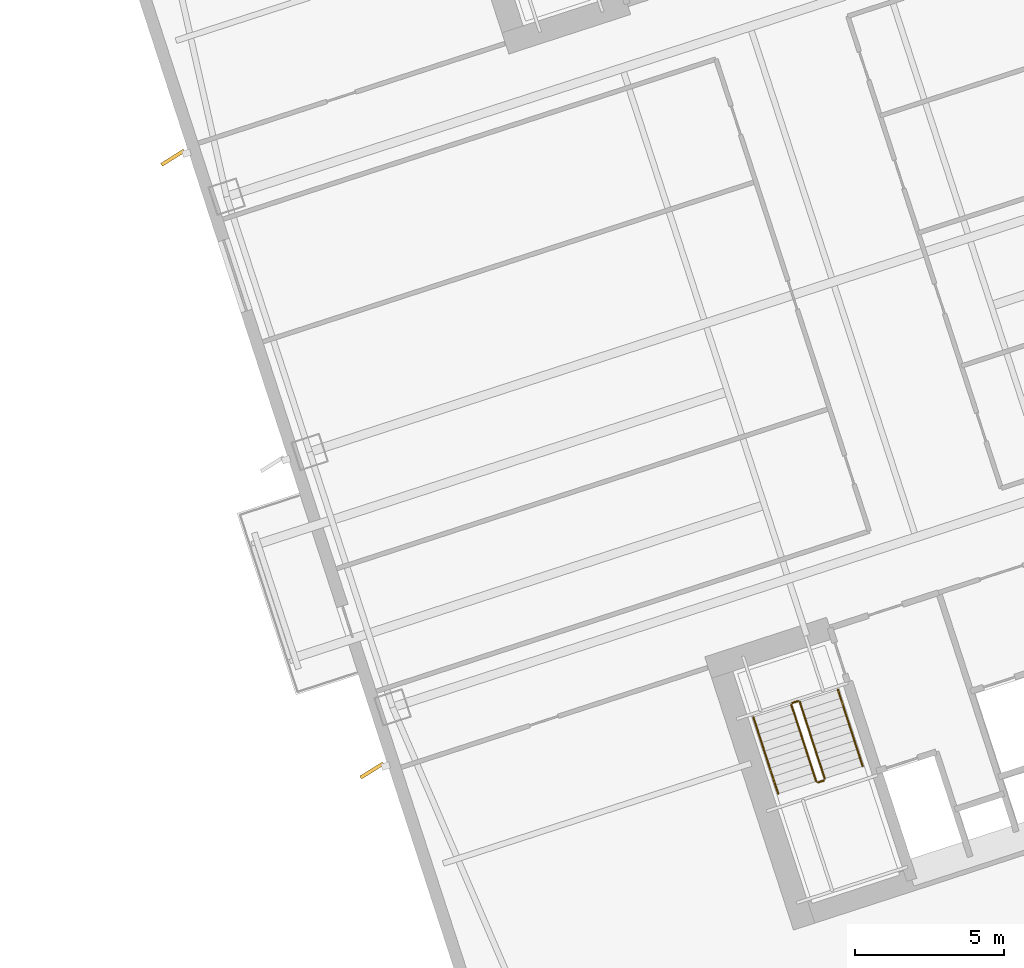
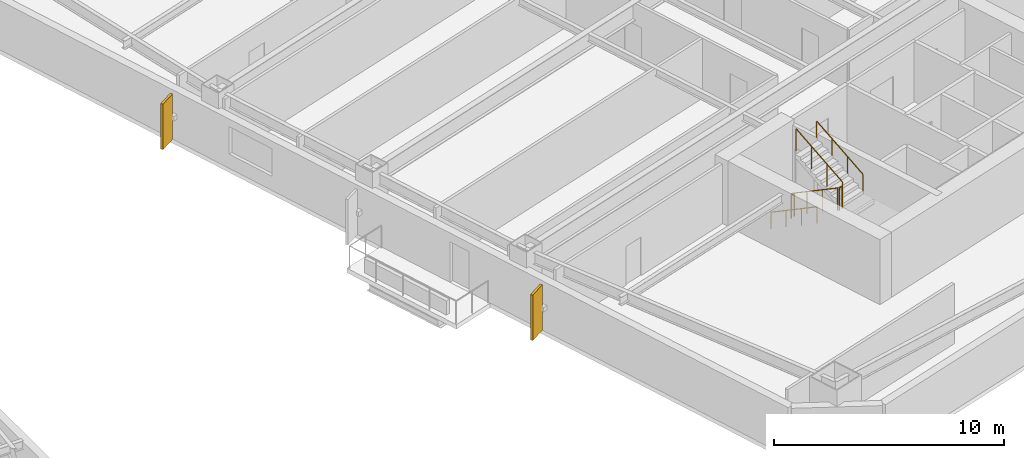
# One storey, part 16 of 18: 6 railings, 2 shading devices.
"""IFC4 building model written with IfcOpenShell, lengths in metres."""

from ifc_helpers import new_model, si_unit, direction, frame, origin, origin_2d, place, context, subcontext, project, spatial, rectangle, circle, extrude, material, layer, layer_set, type_object, element, save


model = new_model("IFC4")

# Units and contexts
model_context = context("Model", 3, precision=1e-05, world=origin(), true_north=direction((0.0, 1.0)))
body_context = subcontext(model_context, "Body", "Model", "MODEL_VIEW")
ifc_project = project(units=[si_unit("LENGTHUNIT", "METRE"), si_unit("AREAUNIT", "SQUARE_METRE"), si_unit("VOLUMEUNIT", "CUBIC_METRE"), si_unit("PLANEANGLEUNIT", "RADIAN"), si_unit("MASSUNIT", "GRAM", prefix="KILO")], contexts=[model_context])

# Site, building, storey
site_placement = place(None, origin())
site = spatial("IfcSite", under=ifc_project, at=site_placement, CompositionType="ELEMENT")
building_placement = place(site_placement, origin())
building = spatial("IfcBuilding", under=site, at=building_placement, Name="Qiaolan Cultural Towers", CompositionType="ELEMENT")
storey_placement = place(building_placement, frame((0.0, 0.0, 67.85009765625)))
storey = spatial("IfcBuildingStorey", under=building, at=storey_placement, Name="L16", CompositionType="ELEMENT", Elevation=67.85009765625)

# Railings
ifc_material_1 = material(Name="Galvanized Painted Steel Stair Guardrail", Category="steel")
railing_type_1 = type_object("IfcRailingType", Name="RL-STAIR-GRD", PredefinedType="GUARDRAIL", material=ifc_material_1)
railing_1_placement = place(storey_placement, frame((88.60205078125, 19.82421875, 0.17236328125)))
element("IfcRailing", 1, at=railing_1_placement, inside=storey, type_object=railing_type_1, Name="L16 ST-E1 stair guard 1", PredefinedType="GUARDRAIL", context=body_context, shape_type="SweptSolid", body=[
    extrude(circle(Radius=0.02392578125, at=origin_2d()), frame((0.0, 0.0, 1.17578125), z_axis=(0.267925668498, -0.824471088726, 0.498460891159), x_axis=(0.951043371037, 0.309057448393, 0.0)), (0.0, 0.0, 1.0), 3.114501953125),
    extrude(circle(Radius=0.02099609375, at=origin_2d()), origin(), (0.0, 0.0, 1.0), 1.15185546875),
    extrude(circle(Radius=0.02099609375, at=origin_2d()), frame((0.278076171875, -0.85595703125, 0.517578125)), (0.0, 0.0, 1.0), 1.15185546875),
    extrude(circle(Radius=0.02099609375, at=origin_2d()), frame((0.556396484375, -1.7119140625, 1.034912109375)), (0.0, 0.0, 1.0), 1.15185546875),
    extrude(circle(Radius=0.02099609375, at=origin_2d()), frame((0.83447265625, -2.56787109375, 1.552490234375)), (0.0, 0.0, 1.0), 1.15185546875),
])
railing_2_placement = place(storey_placement, frame((89.49951171875, 17.224365234375, 1.724853515625)))
element("IfcRailing", 2, at=railing_2_placement, inside=storey, type_object=railing_type_1, Name="L16 ST-E1 stair guard 2", PredefinedType="GUARDRAIL", context=body_context, shape_type="SweptSolid", body=[
    extrude(circle(Radius=0.02392578125, at=origin_2d()), frame((0.0, 0.0, 1.17578125), z_axis=(0.951096855055, 0.308892816854, 0.0), x_axis=(-0.308892816854, 0.951096855055, 0.0)), (0.0, 0.0, 1.0), 0.199951171875),
    extrude(circle(Radius=0.02099609375, at=origin_2d()), origin(), (0.0, 0.0, 1.0), 1.15185546875),
    extrude(circle(Radius=0.02099609375, at=origin_2d()), frame((0.190185546875, 0.061767578125, 0.0)), (0.0, 0.0, 1.0), 1.15185546875),
])
railing_3_placement = place(storey_placement, frame((89.721923828125, 17.34912109375, 1.8974609375)))
element("IfcRailing", 3, at=railing_3_placement, inside=storey, type_object=railing_type_1, Name="L16 ST-E1 stair guard 3", PredefinedType="GUARDRAIL", context=body_context, shape_type="SweptSolid", body=[
    extrude(circle(Radius=0.02392578125, at=origin_2d()), frame((0.0, 0.0, 1.17578125), z_axis=(-0.267925668498, 0.824471088726, 0.498460891159), x_axis=(-0.951043371037, -0.309057448393, 0.0)), (0.0, 0.0, 1.0), 3.114501953125),
    extrude(circle(Radius=0.02099609375, at=origin_2d()), origin(), (0.0, 0.0, 1.0), 1.15185546875),
    extrude(circle(Radius=0.02099609375, at=origin_2d()), frame((-0.278076171875, 0.85595703125, 0.517578125)), (0.0, 0.0, 1.0), 1.15185546875),
    extrude(circle(Radius=0.02099609375, at=origin_2d()), frame((-0.556396484375, 1.7119140625, 1.034912109375)), (0.0, 0.0, 1.0), 1.15185546875),
    extrude(circle(Radius=0.02099609375, at=origin_2d()), frame((-0.83447265625, 2.56787109375, 1.552490234375)), (0.0, 0.0, 1.0), 1.15185546875),
])
railing_4_placement = place(storey_placement, frame((88.63427734375, 19.88720703125, 0.0)))
element("IfcRailing", 4, at=railing_4_placement, inside=storey, type_object=railing_type_1, Name="L16 ST-E1 stair guard 4", PredefinedType="GUARDRAIL", context=body_context, shape_type="SweptSolid", body=[
    extrude(circle(Radius=0.02392578125, at=origin_2d()), frame((0.0, 0.0, 1.17578125), z_axis=(0.951096855055, 0.308892816854, 0.0), x_axis=(-0.308892816854, 0.951096855055, 0.0)), (0.0, 0.0, 1.0), 0.199951171875),
    extrude(circle(Radius=0.02099609375, at=origin_2d()), origin(), (0.0, 0.0, 1.0), 1.15185546875),
    extrude(circle(Radius=0.02099609375, at=origin_2d()), frame((0.190185546875, 0.061767578125, 0.0)), (0.0, 0.0, 1.0), 1.15185546875),
])
ifc_material_2 = material(Name="Stainless Steel S30408 Tubular Handrail", Category="steel")
railing_type_2 = type_object("IfcRailingType", Name="RL-STAIR-HR", PredefinedType="HANDRAIL", material=ifc_material_2)
railing_5_placement = place(storey_placement, frame((87.32763671875, 19.41015625, 0.17236328125)))
element("IfcRailing", 5, at=railing_5_placement, inside=storey, type_object=railing_type_2, Name="L16 ST-E1 stair handrail 1", PredefinedType="HANDRAIL", context=body_context, shape_type="SweptSolid", body=[
    extrude(circle(Radius=0.02392578125, at=origin_2d()), frame((0.0, 0.0, 0.8759765625), z_axis=(0.267925668498, -0.824471088726, 0.498460891159), x_axis=(0.951043371037, 0.309057448393, 0.0)), (0.0, 0.0, 1.0), 3.114501953125),
    extrude(circle(Radius=0.02099609375, at=origin_2d()), origin(), (0.0, 0.0, 1.0), 0.851806640625),
    extrude(circle(Radius=0.02099609375, at=origin_2d()), frame((0.278076171875, -0.85595703125, 0.517578125)), (0.0, 0.0, 1.0), 0.851806640625),
    extrude(circle(Radius=0.02099609375, at=origin_2d()), frame((0.556396484375, -1.7119140625, 1.034912109375)), (0.0, 0.0, 1.0), 0.851806640625),
    extrude(circle(Radius=0.02099609375, at=origin_2d()), frame((0.83447265625, -2.56787109375, 1.552490234375)), (0.0, 0.0, 1.0), 0.851806640625),
])
railing_6_placement = place(storey_placement, frame((90.996337890625, 17.76318359375, 1.8974609375)))
element("IfcRailing", 6, at=railing_6_placement, inside=storey, type_object=railing_type_2, Name="L16 ST-E1 stair handrail 2", PredefinedType="HANDRAIL", context=body_context, shape_type="SweptSolid", body=[
    extrude(circle(Radius=0.02392578125, at=origin_2d()), frame((0.0, 0.0, 0.8759765625), z_axis=(-0.267925668498, 0.824471088726, 0.498460891159), x_axis=(-0.951043371037, -0.309057448393, 0.0)), (0.0, 0.0, 1.0), 3.114501953125),
    extrude(circle(Radius=0.02099609375, at=origin_2d()), origin(), (0.0, 0.0, 1.0), 0.851806640625),
    extrude(circle(Radius=0.02099609375, at=origin_2d()), frame((-0.278076171875, 0.85595703125, 0.517578125)), (0.0, 0.0, 1.0), 0.851806640625),
    extrude(circle(Radius=0.02099609375, at=origin_2d()), frame((-0.556396484375, 1.7119140625, 1.034912109375)), (0.0, 0.0, 1.0), 0.851806640625),
    extrude(circle(Radius=0.02099609375, at=origin_2d()), frame((-0.83447265625, 2.56787109375, 1.552490234375)), (0.0, 0.0, 1.0), 0.851806640625),
])

# Shading devices
ifc_material_3 = material(Name="Dark Basalt Honed Precast Terracotta Fin", Category="masonry")
ifc_layer = layer(ifc_material_3, 0.1201171875)
ifc_layer_set = layer_set([ifc_layer], Name="Dark Basalt Honed Precast Terracotta Fin")
shading_device_type = type_object("IfcShadingDeviceType", Name="SHD-FIN-DARK", PredefinedType="USERDEFINED", material=ifc_layer_set)
for number, where, z_axis, x_axis, name in (
    (7, (74.54443359375, 17.622314453125, 0.10009765625), (0.0, 0.0, 1.0), (0.847164684072, 0.531330403855, 0.0), "L16 T2 Expressive Precast Vertical Fin W1"),
    (8, (67.86962890625, 38.165283203125, 0.10009765625), (0.0, 0.0, 1.0), (0.847164684072, 0.531330403855, 0.0), "L16 T2 Expressive Precast Vertical Fin W3"),
):
    element("IfcShadingDevice", number, at=place(storey_placement, frame(where, z_axis=z_axis, x_axis=x_axis)), inside=storey, type_object=shading_device_type, Name=name, ObjectType="FIN", PredefinedType="USERDEFINED", context=body_context, shape_type="SweptSolid", body=[
        extrude(rectangle(XDim=0.89990234375, YDim=0.1201171875, at=origin_2d()), origin(), (0.0, 0.0, 1.0), 2.409912109375),
    ])

save(model, "model.ifc")
